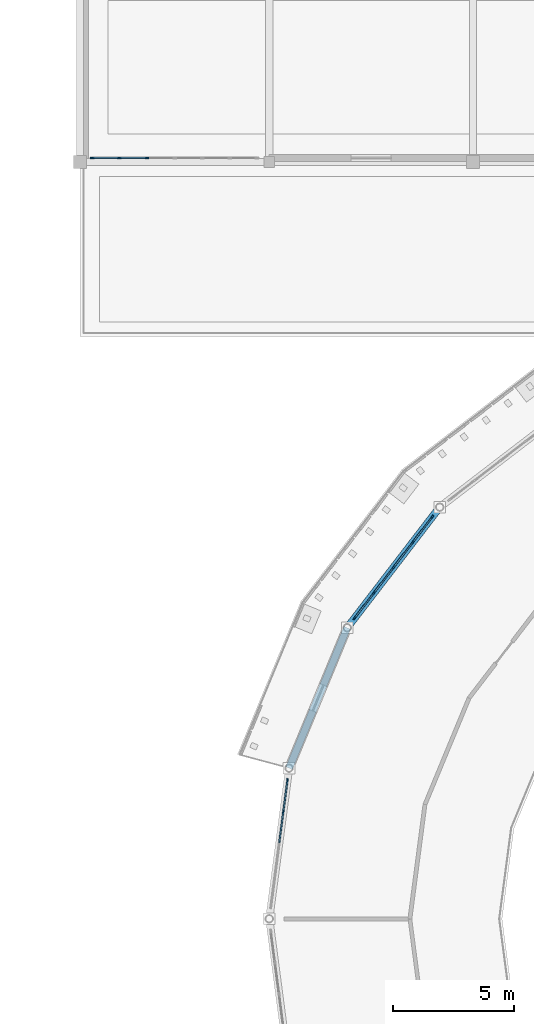
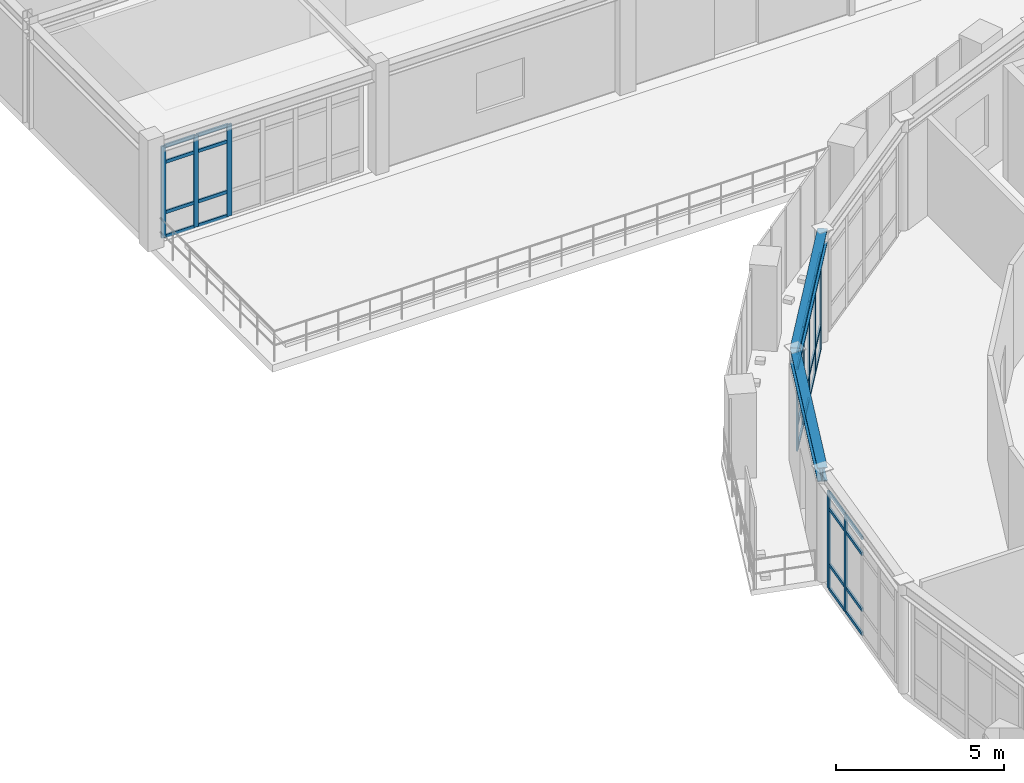
# One storey, part 20 of 58: 42 members, 2 beams, 3 elements without a shape of their own.
"""IFC4 building model written with IfcOpenShell, lengths in metres."""

from ifc_helpers import new_model, si_unit, derived_unit, direction, frame, origin, origin_2d, place, context, subcontext, project, spatial, rectangle, i_section, extrude, material, layer, layer_set, material_profile, profile_set, type_object, element, aggregate, save


model = new_model("IFC4")

# Units and contexts
model_context = context("Model", 3, precision=1e-05, world=origin(), true_north=direction((0.0, 1.0)))
body_context = subcontext(model_context, "Body", "Model", "MODEL_VIEW")
ifc_project = project(units=[si_unit("LENGTHUNIT", "METRE"), si_unit("AREAUNIT", "SQUARE_METRE"), si_unit("VOLUMEUNIT", "CUBIC_METRE"), si_unit("PLANEANGLEUNIT", "RADIAN"), si_unit("MASSUNIT", "GRAM", prefix="KILO"), derived_unit("THERMALTRANSMITTANCEUNIT", [(si_unit("POWERUNIT", "WATT"), 1), (si_unit("AREAUNIT", "SQUARE_METRE"), -1), (si_unit("THERMODYNAMICTEMPERATUREUNIT", "KELVIN"), -1)])], contexts=[model_context])

# Site, building, storey
site_placement = place(None, origin())
site = spatial("IfcSite", under=ifc_project, at=site_placement, CompositionType="ELEMENT")
building_placement = place(site_placement, origin())
building = spatial("IfcBuilding", under=site, at=building_placement, Name="Yasenodar Specialist Clinic", CompositionType="ELEMENT")
storey_placement = place(building_placement, frame((0.0, 0.0, 17.25)))
storey = spatial("IfcBuildingStorey", under=building, at=storey_placement, Name="L04", CompositionType="ELEMENT", Elevation=17.25)

# Beams
ifc_material_1 = material(Name="Steel S355", Category="steel")
ifc_material_profile_1 = material_profile(ifc_material_1, i_section(OverallWidth=0.300048828125, OverallDepth=0.5, WebThickness=0.014404296875, FlangeThickness=0.028076171875, FilletRadius=0.027099609375, at=origin_2d()), Name="HEB 500")
ifc_profile_set_1 = profile_set([ifc_material_profile_1], Name="Steel S355")
beam_type = type_object("IfcBeamType", Name="BM-HEB500", PredefinedType="BEAM", material=ifc_profile_set_1)
for number, where, z_axis, x_axis, name in (
    (1, (64.029296875, 75.7705078125, 3.800048828125), (-0.608761180103, -0.793353531283, 0.0), (0.793353531283, -0.608761180103, 0.0), "L04 Drum V1 Roof Ring Beam"),
    (2, (60.21533203125, 70.800048828125, 3.800048828125), (-0.382663829839, -0.9238876519, 0.0), (0.9238876519, -0.382663829839, 0.0), "L04 Drum V1 Roof Ring Beam"),
):
    element("IfcBeam", number, at=place(storey_placement, frame(where, z_axis=z_axis, x_axis=x_axis)), inside=storey, type_object=beam_type, Name=name, PredefinedType="BEAM", context=body_context, shape_type="SweptSolid", body=[
        extrude(i_section(OverallWidth=0.300048828125, OverallDepth=0.5, WebThickness=0.014404296875, FlangeThickness=0.028076171875, FilletRadius=0.027099609375, at=origin_2d()), origin(), (0.0, 0.0, 1.0), 6.26513671875),
    ])

# Curtain wall, members
ifc_material_2 = material(Name="Bronze Anodized Aluminium and Triple Low-E Glass", Category="aluminium")
ifc_layer_1 = layer(ifc_material_2, 0.1669921875)
ifc_layer_set_1 = layer_set([ifc_layer_1], Name="Bronze Anodized Aluminium and Triple Low-E Glass")
curtain_wall_type_1 = type_object("IfcCurtainWallType", Name="CW-SYS-01", PredefinedType="USERDEFINED", material=ifc_layer_set_1)
curtain_wall_1_placement = place(storey_placement, origin())
curtain_wall_1 = element("IfcCurtainWall", 3, at=curtain_wall_1_placement, inside=storey, type_object=curtain_wall_type_1, Name="L04 Unitised Curtain Wall 062", ObjectType="UNITISED CURTAIN WALL", PredefinedType="USERDEFINED")
ifc_material_3 = material(Name="Bronze Anodized Aluminium", Category="aluminium")
ifc_material_profile_2 = material_profile(ifc_material_3, rectangle(XDim=0.06005859375, YDim=0.159912109375, at=origin_2d()), Name="CW-MULL 60x160")
ifc_profile_set_2 = profile_set([ifc_material_profile_2], Name="Bronze Anodized Aluminium")
member_type_1 = type_object("IfcMemberType", Name="CW-MULL-160", PredefinedType="MULLION", material=ifc_profile_set_2)
member_1_placement = place(storey_placement, frame((60.52587890625, 71.20458984375, 0.0), z_axis=(0.0, 0.0, 1.0), x_axis=(-0.793360558574, 0.608752021844, 0.0)))
member_1 = element("IfcMember", 4, at=member_1_placement, type_object=member_type_1, Name="CW-01 mullion 1", PredefinedType="MULLION", context=body_context, shape_type="SweptSolid", body=[
    extrude(rectangle(XDim=0.06005859375, YDim=0.159912109375, at=origin_2d()), origin(), (0.0, 0.0, 1.0), 3.528076171875),
])
member_2_placement = place(storey_placement, frame((61.31494140625, 72.233154296875, 0.0), z_axis=(0.0, 0.0, 1.0), x_axis=(-0.793360558574, 0.608752021844, 0.0)))
member_2 = element("IfcMember", 5, at=member_2_placement, type_object=member_type_1, Name="CW-01 mullion 2", PredefinedType="MULLION", context=body_context, shape_type="SweptSolid", body=[
    extrude(rectangle(XDim=0.06005859375, YDim=0.159912109375, at=origin_2d()), origin(), (0.0, 0.0, 1.0), 3.528076171875),
])
member_3_placement = place(storey_placement, frame((62.122314453125, 73.285400390625, 0.0), z_axis=(0.0, 0.0, 1.0), x_axis=(-0.793360558574, 0.608752021844, 0.0)))
member_3 = element("IfcMember", 6, at=member_3_placement, type_object=member_type_1, Name="CW-01 mullion 3", PredefinedType="MULLION", context=body_context, shape_type="SweptSolid", body=[
    extrude(rectangle(XDim=0.06005859375, YDim=0.159912109375, at=origin_2d()), origin(), (0.0, 0.0, 1.0), 3.528076171875),
])
member_4_placement = place(storey_placement, frame((62.9296875, 74.337646484375, 0.0), z_axis=(0.0, 0.0, 1.0), x_axis=(-0.793360558574, 0.608752021844, 0.0)))
member_4 = element("IfcMember", 7, at=member_4_placement, type_object=member_type_1, Name="CW-01 mullion 4", PredefinedType="MULLION", context=body_context, shape_type="SweptSolid", body=[
    extrude(rectangle(XDim=0.06005859375, YDim=0.159912109375, at=origin_2d()), origin(), (0.0, 0.0, 1.0), 3.528076171875),
])
member_5_placement = place(storey_placement, frame((63.718994140625, 75.365966796875, 0.0), z_axis=(0.0, 0.0, 1.0), x_axis=(-0.793360558574, 0.608752021844, 0.0)))
member_5 = element("IfcMember", 8, at=member_5_placement, type_object=member_type_1, Name="CW-01 mullion 5", PredefinedType="MULLION", context=body_context, shape_type="SweptSolid", body=[
    extrude(rectangle(XDim=0.06005859375, YDim=0.159912109375, at=origin_2d()), origin(), (0.0, 0.0, 1.0), 3.528076171875),
])

curtain_wall_2_placement = place(storey_placement, origin())
curtain_wall_2 = element("IfcCurtainWall", 9, at=curtain_wall_2_placement, inside=storey, type_object=curtain_wall_type_1, Name="L04 Unitised Curtain Wall 063", ObjectType="UNITISED CURTAIN WALL", PredefinedType="USERDEFINED")
member_6_placement = place(storey_placement, frame((57.58203125, 63.220703125, 0.0), z_axis=(0.0, 0.0, 1.0), x_axis=(-0.991446787601, 0.13051156024, 0.0)))
member_6 = element("IfcMember", 10, at=member_6_placement, type_object=member_type_1, Name="CW-01 mullion 4", PredefinedType="MULLION", context=body_context, shape_type="SweptSolid", body=[
    extrude(rectangle(XDim=0.06005859375, YDim=0.159912109375, at=origin_2d()), origin(), (0.0, 0.0, 1.0), 3.528076171875),
])
member_7_placement = place(storey_placement, frame((57.751220703125, 64.506103515625, 0.0), z_axis=(0.0, 0.0, 1.0), x_axis=(-0.991446787601, 0.13051156024, 0.0)))
member_7 = element("IfcMember", 11, at=member_7_placement, type_object=member_type_1, Name="CW-01 mullion 5", PredefinedType="MULLION", context=body_context, shape_type="SweptSolid", body=[
    extrude(rectangle(XDim=0.06005859375, YDim=0.159912109375, at=origin_2d()), origin(), (0.0, 0.0, 1.0), 3.528076171875),
])

ifc_layer_2 = layer(ifc_material_2, 0.215087890625)
ifc_layer_set_2 = layer_set([ifc_layer_2], Name="Bronze Anodized Aluminium and Triple Low-E Glass")
curtain_wall_type_2 = type_object("IfcCurtainWallType", Name="CW-SYS-05", PredefinedType="USERDEFINED", material=ifc_layer_set_2)
curtain_wall_3_placement = place(storey_placement, origin())
curtain_wall_3 = element("IfcCurtainWall", 12, at=curtain_wall_3_placement, inside=storey, type_object=curtain_wall_type_2, Name="L04 Unitised Curtain Wall 164", ObjectType="UNITISED CURTAIN WALL", PredefinedType="USERDEFINED")
member_8_placement = place(storey_placement, frame((51.9599609375, 90.169921875, 0.0), z_axis=(0.0, 0.0, 1.0), x_axis=(0.0, -1.0, 0.0)))
member_8 = element("IfcMember", 13, at=member_8_placement, type_object=member_type_1, Name="CW-05 mullion 5", PredefinedType="MULLION", context=body_context, shape_type="SweptSolid", body=[
    extrude(rectangle(XDim=0.06005859375, YDim=0.159912109375, at=origin_2d()), origin(), (0.0, 0.0, 1.0), 3.327880859375),
])
member_9_placement = place(storey_placement, frame((50.820068359375, 90.169921875, 0.0), z_axis=(0.0, 0.0, 1.0), x_axis=(0.0, -1.0, 0.0)))
member_9 = element("IfcMember", 14, at=member_9_placement, type_object=member_type_1, Name="CW-05 mullion 6", PredefinedType="MULLION", context=body_context, shape_type="SweptSolid", body=[
    extrude(rectangle(XDim=0.06005859375, YDim=0.159912109375, at=origin_2d()), origin(), (0.0, 0.0, 1.0), 3.327880859375),
])
member_10_placement = place(storey_placement, frame((49.7099609375, 90.169921875, 0.0), z_axis=(0.0, 0.0, 1.0), x_axis=(0.0, -1.0, 0.0)))
member_10 = element("IfcMember", 15, at=member_10_placement, type_object=member_type_1, Name="CW-05 mullion 7", PredefinedType="MULLION", context=body_context, shape_type="SweptSolid", body=[
    extrude(rectangle(XDim=0.06005859375, YDim=0.159912109375, at=origin_2d()), origin(), (0.0, 0.0, 1.0), 3.327880859375),
])

# Member
ifc_material_profile_3 = material_profile(ifc_material_3, rectangle(XDim=0.06005859375, YDim=0.1201171875, at=origin_2d()), Name="CW-TRAN 60x120")
ifc_profile_set_3 = profile_set([ifc_material_profile_3], Name="Bronze Anodized Aluminium")
member_type_2 = type_object("IfcMemberType", Name="CW-TRAN-120", PredefinedType="USERDEFINED", material=ifc_profile_set_3)
member_11_placement = place(storey_placement, frame((60.544189453125, 71.228515625, 0.030029296875), z_axis=(0.608717606417, 0.793386964626, 0.0), x_axis=(-0.793386964626, 0.608717606417, 0.0)))
member_11 = element("IfcMember", 16, at=member_11_placement, type_object=member_type_2, Name="CW-01 transom 1.1", ObjectType="TRANSOM", PredefinedType="USERDEFINED", context=body_context, shape_type="SweptSolid", body=[
    extrude(rectangle(XDim=0.06005859375, YDim=0.1201171875, at=origin_2d()), origin(), (0.0, 0.0, 1.0), 1.236083984375),
])

member_12_placement = place(storey_placement, frame((60.544189453125, 71.228515625, 0.89990234375), z_axis=(0.608717606417, 0.793386964626, 0.0), x_axis=(-0.793386964626, 0.608717606417, 0.0)))
member_12 = element("IfcMember", 17, at=member_12_placement, type_object=member_type_2, Name="CW-01 transom 1.2", ObjectType="TRANSOM", PredefinedType="USERDEFINED", context=body_context, shape_type="SweptSolid", body=[
    extrude(rectangle(XDim=0.06005859375, YDim=0.1201171875, at=origin_2d()), origin(), (0.0, 0.0, 1.0), 1.236083984375),
])

member_13_placement = place(storey_placement, frame((60.544189453125, 71.228515625, 2.927978515625), z_axis=(0.608717606417, 0.793386964626, 0.0), x_axis=(-0.793386964626, 0.608717606417, 0.0)))
member_13 = element("IfcMember", 18, at=member_13_placement, type_object=member_type_2, Name="CW-01 transom 1.3", ObjectType="TRANSOM", PredefinedType="USERDEFINED", context=body_context, shape_type="SweptSolid", body=[
    extrude(rectangle(XDim=0.06005859375, YDim=0.1201171875, at=origin_2d()), origin(), (0.0, 0.0, 1.0), 1.236083984375),
])

member_14_placement = place(storey_placement, frame((60.544189453125, 71.228515625, 3.498046875), z_axis=(0.608717606417, 0.793386964626, 0.0), x_axis=(-0.793386964626, 0.608717606417, 0.0)))
member_14 = element("IfcMember", 19, at=member_14_placement, type_object=member_type_2, Name="CW-01 transom 1.4", ObjectType="TRANSOM", PredefinedType="USERDEFINED", context=body_context, shape_type="SweptSolid", body=[
    extrude(rectangle(XDim=0.06005859375, YDim=0.1201171875, at=origin_2d()), origin(), (0.0, 0.0, 1.0), 1.236083984375),
])

member_15_placement = place(storey_placement, frame((61.333251953125, 72.2568359375, 0.030029296875), z_axis=(0.608815963567, 0.793311491475, 0.0), x_axis=(-0.793311491475, 0.608815963567, 0.0)))
member_15 = element("IfcMember", 20, at=member_15_placement, type_object=member_type_2, Name="CW-01 transom 2.1", ObjectType="TRANSOM", PredefinedType="USERDEFINED", context=body_context, shape_type="SweptSolid", body=[
    extrude(rectangle(XDim=0.06005859375, YDim=0.1201171875, at=origin_2d()), origin(), (0.0, 0.0, 1.0), 1.266357421875),
])

member_16_placement = place(storey_placement, frame((61.333251953125, 72.2568359375, 0.89990234375), z_axis=(0.608815963567, 0.793311491475, 0.0), x_axis=(-0.793311491475, 0.608815963567, 0.0)))
member_16 = element("IfcMember", 21, at=member_16_placement, type_object=member_type_2, Name="CW-01 transom 2.2", ObjectType="TRANSOM", PredefinedType="USERDEFINED", context=body_context, shape_type="SweptSolid", body=[
    extrude(rectangle(XDim=0.06005859375, YDim=0.1201171875, at=origin_2d()), origin(), (0.0, 0.0, 1.0), 1.266357421875),
])

member_17_placement = place(storey_placement, frame((61.333251953125, 72.2568359375, 2.927978515625), z_axis=(0.608815963567, 0.793311491475, 0.0), x_axis=(-0.793311491475, 0.608815963567, 0.0)))
member_17 = element("IfcMember", 22, at=member_17_placement, type_object=member_type_2, Name="CW-01 transom 2.3", ObjectType="TRANSOM", PredefinedType="USERDEFINED", context=body_context, shape_type="SweptSolid", body=[
    extrude(rectangle(XDim=0.06005859375, YDim=0.1201171875, at=origin_2d()), origin(), (0.0, 0.0, 1.0), 1.266357421875),
])

member_18_placement = place(storey_placement, frame((61.333251953125, 72.2568359375, 3.498046875), z_axis=(0.608815963567, 0.793311491475, 0.0), x_axis=(-0.793311491475, 0.608815963567, 0.0)))
member_18 = element("IfcMember", 23, at=member_18_placement, type_object=member_type_2, Name="CW-01 transom 2.4", ObjectType="TRANSOM", PredefinedType="USERDEFINED", context=body_context, shape_type="SweptSolid", body=[
    extrude(rectangle(XDim=0.06005859375, YDim=0.1201171875, at=origin_2d()), origin(), (0.0, 0.0, 1.0), 1.266357421875),
])

member_19_placement = place(storey_placement, frame((62.140625, 73.30908203125, 0.030029296875), z_axis=(0.608815963567, 0.793311491475, 0.0), x_axis=(-0.793311491475, 0.608815963567, 0.0)))
member_19 = element("IfcMember", 24, at=member_19_placement, type_object=member_type_2, Name="CW-01 transom 3.1", ObjectType="TRANSOM", PredefinedType="USERDEFINED", context=body_context, shape_type="SweptSolid", body=[
    extrude(rectangle(XDim=0.06005859375, YDim=0.1201171875, at=origin_2d()), origin(), (0.0, 0.0, 1.0), 1.266357421875),
])

member_20_placement = place(storey_placement, frame((62.140625, 73.30908203125, 0.89990234375), z_axis=(0.608815963567, 0.793311491475, 0.0), x_axis=(-0.793311491475, 0.608815963567, 0.0)))
member_20 = element("IfcMember", 25, at=member_20_placement, type_object=member_type_2, Name="CW-01 transom 3.2", ObjectType="TRANSOM", PredefinedType="USERDEFINED", context=body_context, shape_type="SweptSolid", body=[
    extrude(rectangle(XDim=0.06005859375, YDim=0.1201171875, at=origin_2d()), origin(), (0.0, 0.0, 1.0), 1.266357421875),
])

member_21_placement = place(storey_placement, frame((62.140625, 73.30908203125, 2.927978515625), z_axis=(0.608815963567, 0.793311491475, 0.0), x_axis=(-0.793311491475, 0.608815963567, 0.0)))
member_21 = element("IfcMember", 26, at=member_21_placement, type_object=member_type_2, Name="CW-01 transom 3.3", ObjectType="TRANSOM", PredefinedType="USERDEFINED", context=body_context, shape_type="SweptSolid", body=[
    extrude(rectangle(XDim=0.06005859375, YDim=0.1201171875, at=origin_2d()), origin(), (0.0, 0.0, 1.0), 1.266357421875),
])

member_22_placement = place(storey_placement, frame((62.140625, 73.30908203125, 3.498046875), z_axis=(0.608815963567, 0.793311491475, 0.0), x_axis=(-0.793311491475, 0.608815963567, 0.0)))
member_22 = element("IfcMember", 27, at=member_22_placement, type_object=member_type_2, Name="CW-01 transom 3.4", ObjectType="TRANSOM", PredefinedType="USERDEFINED", context=body_context, shape_type="SweptSolid", body=[
    extrude(rectangle(XDim=0.06005859375, YDim=0.1201171875, at=origin_2d()), origin(), (0.0, 0.0, 1.0), 1.266357421875),
])

member_23_placement = place(storey_placement, frame((62.947998046875, 74.361328125, 0.030029296875), z_axis=(0.608746535642, 0.793364768151, 0.0), x_axis=(-0.793364768151, 0.608746535642, 0.0)))
member_23 = element("IfcMember", 28, at=member_23_placement, type_object=member_type_2, Name="CW-01 transom 4.1", ObjectType="TRANSOM", PredefinedType="USERDEFINED", context=body_context, shape_type="SweptSolid", body=[
    extrude(rectangle(XDim=0.06005859375, YDim=0.1201171875, at=origin_2d()), origin(), (0.0, 0.0, 1.0), 1.236572265625),
])

member_24_placement = place(storey_placement, frame((62.947998046875, 74.361328125, 0.89990234375), z_axis=(0.608746535642, 0.793364768151, 0.0), x_axis=(-0.793364768151, 0.608746535642, 0.0)))
member_24 = element("IfcMember", 29, at=member_24_placement, type_object=member_type_2, Name="CW-01 transom 4.2", ObjectType="TRANSOM", PredefinedType="USERDEFINED", context=body_context, shape_type="SweptSolid", body=[
    extrude(rectangle(XDim=0.06005859375, YDim=0.1201171875, at=origin_2d()), origin(), (0.0, 0.0, 1.0), 1.236572265625),
])

member_25_placement = place(storey_placement, frame((62.947998046875, 74.361328125, 2.927978515625), z_axis=(0.608746535642, 0.793364768151, 0.0), x_axis=(-0.793364768151, 0.608746535642, 0.0)))
member_25 = element("IfcMember", 30, at=member_25_placement, type_object=member_type_2, Name="CW-01 transom 4.3", ObjectType="TRANSOM", PredefinedType="USERDEFINED", context=body_context, shape_type="SweptSolid", body=[
    extrude(rectangle(XDim=0.06005859375, YDim=0.1201171875, at=origin_2d()), origin(), (0.0, 0.0, 1.0), 1.236572265625),
])

member_26_placement = place(storey_placement, frame((62.947998046875, 74.361328125, 3.498046875), z_axis=(0.608746535642, 0.793364768151, 0.0), x_axis=(-0.793364768151, 0.608746535642, 0.0)))
member_26 = element("IfcMember", 31, at=member_26_placement, type_object=member_type_2, Name="CW-01 transom 4.4", ObjectType="TRANSOM", PredefinedType="USERDEFINED", context=body_context, shape_type="SweptSolid", body=[
    extrude(rectangle(XDim=0.06005859375, YDim=0.1201171875, at=origin_2d()), origin(), (0.0, 0.0, 1.0), 1.236572265625),
])

aggregate(curtain_wall_1, [member_1, member_2, member_3, member_4, member_5, member_11, member_12, member_13, member_14, member_15, member_16, member_17, member_18, member_19, member_20, member_21, member_22, member_23, member_24, member_25, member_26])

member_27_placement = place(storey_placement, frame((57.412841796875, 61.935546875, 0.030029296875), z_axis=(0.13050936627, 0.991447076407, 0.0), x_axis=(-0.991447076407, 0.13050936627, 0.0)))
member_27 = element("IfcMember", 32, at=member_27_placement, type_object=member_type_2, Name="CW-01 transom 3.1", ObjectType="TRANSOM", PredefinedType="USERDEFINED", context=body_context, shape_type="SweptSolid", body=[
    extrude(rectangle(XDim=0.06005859375, YDim=0.1201171875, at=origin_2d()), origin(), (0.0, 0.0, 1.0), 1.266357421875),
])

member_28_placement = place(storey_placement, frame((57.412841796875, 61.935546875, 0.89990234375), z_axis=(0.13050936627, 0.991447076407, 0.0), x_axis=(-0.991447076407, 0.13050936627, 0.0)))
member_28 = element("IfcMember", 33, at=member_28_placement, type_object=member_type_2, Name="CW-01 transom 3.2", ObjectType="TRANSOM", PredefinedType="USERDEFINED", context=body_context, shape_type="SweptSolid", body=[
    extrude(rectangle(XDim=0.06005859375, YDim=0.1201171875, at=origin_2d()), origin(), (0.0, 0.0, 1.0), 1.266357421875),
])

member_29_placement = place(storey_placement, frame((57.412841796875, 61.935546875, 2.927978515625), z_axis=(0.13050936627, 0.991447076407, 0.0), x_axis=(-0.991447076407, 0.13050936627, 0.0)))
member_29 = element("IfcMember", 34, at=member_29_placement, type_object=member_type_2, Name="CW-01 transom 3.3", ObjectType="TRANSOM", PredefinedType="USERDEFINED", context=body_context, shape_type="SweptSolid", body=[
    extrude(rectangle(XDim=0.06005859375, YDim=0.1201171875, at=origin_2d()), origin(), (0.0, 0.0, 1.0), 1.266357421875),
])

member_30_placement = place(storey_placement, frame((57.412841796875, 61.935546875, 3.498046875), z_axis=(0.13050936627, 0.991447076407, 0.0), x_axis=(-0.991447076407, 0.13050936627, 0.0)))
member_30 = element("IfcMember", 35, at=member_30_placement, type_object=member_type_2, Name="CW-01 transom 3.4", ObjectType="TRANSOM", PredefinedType="USERDEFINED", context=body_context, shape_type="SweptSolid", body=[
    extrude(rectangle(XDim=0.06005859375, YDim=0.1201171875, at=origin_2d()), origin(), (0.0, 0.0, 1.0), 1.266357421875),
])

member_31_placement = place(storey_placement, frame((57.5859375, 63.25048828125, 0.030029296875), z_axis=(0.130520914683, 0.99144555616, 0.0), x_axis=(-0.99144555616, 0.130520914683, 0.0)))
member_31 = element("IfcMember", 36, at=member_31_placement, type_object=member_type_2, Name="CW-01 transom 4.1", ObjectType="TRANSOM", PredefinedType="USERDEFINED", context=body_context, shape_type="SweptSolid", body=[
    extrude(rectangle(XDim=0.06005859375, YDim=0.1201171875, at=origin_2d()), origin(), (0.0, 0.0, 1.0), 1.236328125),
])

member_32_placement = place(storey_placement, frame((57.5859375, 63.25048828125, 0.89990234375), z_axis=(0.130520914683, 0.99144555616, 0.0), x_axis=(-0.99144555616, 0.130520914683, 0.0)))
member_32 = element("IfcMember", 37, at=member_32_placement, type_object=member_type_2, Name="CW-01 transom 4.2", ObjectType="TRANSOM", PredefinedType="USERDEFINED", context=body_context, shape_type="SweptSolid", body=[
    extrude(rectangle(XDim=0.06005859375, YDim=0.1201171875, at=origin_2d()), origin(), (0.0, 0.0, 1.0), 1.236328125),
])

member_33_placement = place(storey_placement, frame((57.5859375, 63.25048828125, 2.927978515625), z_axis=(0.130520914683, 0.99144555616, 0.0), x_axis=(-0.99144555616, 0.130520914683, 0.0)))
member_33 = element("IfcMember", 38, at=member_33_placement, type_object=member_type_2, Name="CW-01 transom 4.3", ObjectType="TRANSOM", PredefinedType="USERDEFINED", context=body_context, shape_type="SweptSolid", body=[
    extrude(rectangle(XDim=0.06005859375, YDim=0.1201171875, at=origin_2d()), origin(), (0.0, 0.0, 1.0), 1.236328125),
])

member_34_placement = place(storey_placement, frame((57.5859375, 63.25048828125, 3.498046875), z_axis=(0.130520914683, 0.99144555616, 0.0), x_axis=(-0.99144555616, 0.130520914683, 0.0)))
member_34 = element("IfcMember", 39, at=member_34_placement, type_object=member_type_2, Name="CW-01 transom 4.4", ObjectType="TRANSOM", PredefinedType="USERDEFINED", context=body_context, shape_type="SweptSolid", body=[
    extrude(rectangle(XDim=0.06005859375, YDim=0.1201171875, at=origin_2d()), origin(), (0.0, 0.0, 1.0), 1.236328125),
])

aggregate(curtain_wall_2, [member_6, member_7, member_27, member_28, member_29, member_30, member_31, member_32, member_33, member_34])

member_35_placement = place(storey_placement, frame((51.929931640625, 90.169921875, 0.030029296875), z_axis=(-1.0, 0.0, 0.0), x_axis=(0.0, -1.0, 0.0)))
member_35 = element("IfcMember", 40, at=member_35_placement, type_object=member_type_2, Name="CW-05 transom 5.1", ObjectType="TRANSOM", PredefinedType="USERDEFINED", context=body_context, shape_type="SweptSolid", body=[
    extrude(rectangle(XDim=0.06005859375, YDim=0.1201171875, at=origin_2d()), origin(), (0.0, 0.0, 1.0), 1.079833984375),
])

member_36_placement = place(storey_placement, frame((51.929931640625, 90.169921875, 0.89990234375), z_axis=(-1.0, 0.0, 0.0), x_axis=(0.0, -1.0, 0.0)))
member_36 = element("IfcMember", 41, at=member_36_placement, type_object=member_type_2, Name="CW-05 transom 5.2", ObjectType="TRANSOM", PredefinedType="USERDEFINED", context=body_context, shape_type="SweptSolid", body=[
    extrude(rectangle(XDim=0.06005859375, YDim=0.1201171875, at=origin_2d()), origin(), (0.0, 0.0, 1.0), 1.079833984375),
])

member_37_placement = place(storey_placement, frame((51.929931640625, 90.169921875, 2.72802734375), z_axis=(-1.0, 0.0, 0.0), x_axis=(0.0, -1.0, 0.0)))
member_37 = element("IfcMember", 42, at=member_37_placement, type_object=member_type_2, Name="CW-05 transom 5.3", ObjectType="TRANSOM", PredefinedType="USERDEFINED", context=body_context, shape_type="SweptSolid", body=[
    extrude(rectangle(XDim=0.06005859375, YDim=0.1201171875, at=origin_2d()), origin(), (0.0, 0.0, 1.0), 1.079833984375),
])

member_38_placement = place(storey_placement, frame((51.929931640625, 90.169921875, 3.298095703125), z_axis=(-1.0, 0.0, 0.0), x_axis=(0.0, -1.0, 0.0)))
member_38 = element("IfcMember", 43, at=member_38_placement, type_object=member_type_2, Name="CW-05 transom 5.4", ObjectType="TRANSOM", PredefinedType="USERDEFINED", context=body_context, shape_type="SweptSolid", body=[
    extrude(rectangle(XDim=0.06005859375, YDim=0.1201171875, at=origin_2d()), origin(), (0.0, 0.0, 1.0), 1.079833984375),
])

member_39_placement = place(storey_placement, frame((50.7900390625, 90.169921875, 0.030029296875), z_axis=(-1.0, 0.0, 0.0), x_axis=(0.0, -1.0, 0.0)))
member_39 = element("IfcMember", 44, at=member_39_placement, type_object=member_type_2, Name="CW-05 transom 6.1", ObjectType="TRANSOM", PredefinedType="USERDEFINED", context=body_context, shape_type="SweptSolid", body=[
    extrude(rectangle(XDim=0.06005859375, YDim=0.1201171875, at=origin_2d()), origin(), (0.0, 0.0, 1.0), 1.050048828125),
])

member_40_placement = place(storey_placement, frame((50.7900390625, 90.169921875, 0.89990234375), z_axis=(-1.0, 0.0, 0.0), x_axis=(0.0, -1.0, 0.0)))
member_40 = element("IfcMember", 45, at=member_40_placement, type_object=member_type_2, Name="CW-05 transom 6.2", ObjectType="TRANSOM", PredefinedType="USERDEFINED", context=body_context, shape_type="SweptSolid", body=[
    extrude(rectangle(XDim=0.06005859375, YDim=0.1201171875, at=origin_2d()), origin(), (0.0, 0.0, 1.0), 1.050048828125),
])

member_41_placement = place(storey_placement, frame((50.7900390625, 90.169921875, 2.72802734375), z_axis=(-1.0, 0.0, 0.0), x_axis=(0.0, -1.0, 0.0)))
member_41 = element("IfcMember", 46, at=member_41_placement, type_object=member_type_2, Name="CW-05 transom 6.3", ObjectType="TRANSOM", PredefinedType="USERDEFINED", context=body_context, shape_type="SweptSolid", body=[
    extrude(rectangle(XDim=0.06005859375, YDim=0.1201171875, at=origin_2d()), origin(), (0.0, 0.0, 1.0), 1.050048828125),
])

member_42_placement = place(storey_placement, frame((50.7900390625, 90.169921875, 3.298095703125), z_axis=(-1.0, 0.0, 0.0), x_axis=(0.0, -1.0, 0.0)))
member_42 = element("IfcMember", 47, at=member_42_placement, type_object=member_type_2, Name="CW-05 transom 6.4", ObjectType="TRANSOM", PredefinedType="USERDEFINED", context=body_context, shape_type="SweptSolid", body=[
    extrude(rectangle(XDim=0.06005859375, YDim=0.1201171875, at=origin_2d()), origin(), (0.0, 0.0, 1.0), 1.050048828125),
])

aggregate(curtain_wall_3, [member_8, member_9, member_10, member_35, member_36, member_37, member_38, member_39, member_40, member_41, member_42])

save(model, "model.ifc")
